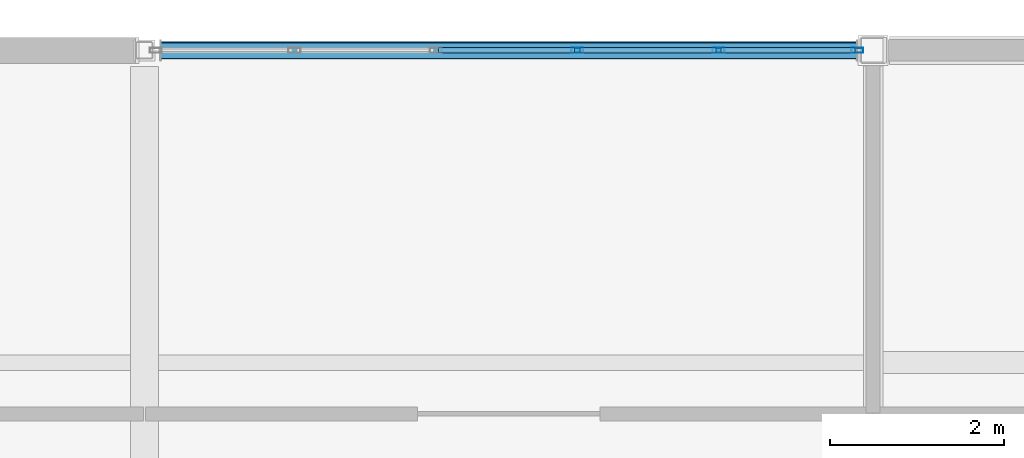
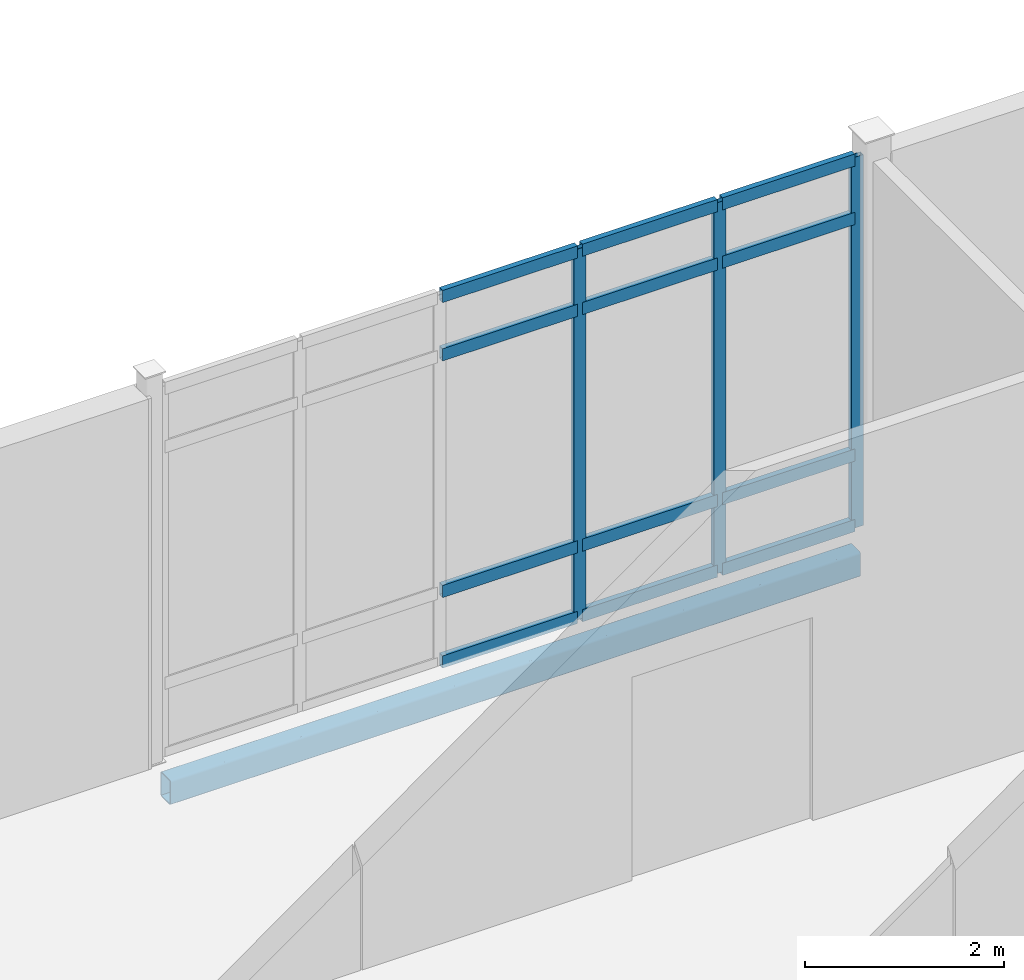
# One storey, part 62 of 153: 15 members, 1 beam, 1 element without a shape of its own.
"""IFC4 building model written with IfcOpenShell, lengths in metres."""

from ifc_helpers import new_model, si_unit, direction, frame, origin, origin_2d, place, context, subcontext, project, spatial, hollow_rectangle, extrude, material, layer, layer_set, material_profile, profile_set, type_object, element, aggregate, save


model = new_model("IFC4")

# Units and contexts
model_context = context("Model", 3, precision=1e-05, world=origin(), true_north=direction((0.0, 1.0)))
body_context = subcontext(model_context, "Body", "Model", "MODEL_VIEW")
ifc_project = project(units=[si_unit("LENGTHUNIT", "METRE"), si_unit("AREAUNIT", "SQUARE_METRE"), si_unit("VOLUMEUNIT", "CUBIC_METRE"), si_unit("PLANEANGLEUNIT", "RADIAN"), si_unit("MASSUNIT", "GRAM", prefix="KILO")], contexts=[model_context])

# Site, building, storey
site_placement = place(None, origin())
site = spatial("IfcSite", under=ifc_project, at=site_placement, CompositionType="ELEMENT")
building_placement = place(site_placement, origin())
building = spatial("IfcBuilding", under=site, at=building_placement, Name="Calvrana Isthmian Art Gallery", CompositionType="ELEMENT")
storey_placement = place(building_placement, frame((0.0, 0.0, 10.199951171875)))
storey = spatial("IfcBuildingStorey", under=building, at=storey_placement, Name="L02", CompositionType="ELEMENT", Elevation=10.199951171875)

# Beam
ifc_material_1 = material(Name="Steel ASTM A500 Gr C", Category="steel")
ifc_material_profile_1 = material_profile(ifc_material_1, hollow_rectangle(XDim=0.203125, YDim=0.3046875, WallThickness=0.0126953125, OuterFilletRadius=0.02490234375, at=origin_2d()), Name="HSS305X203X12.7")
ifc_profile_set_1 = profile_set([ifc_material_profile_1], Name="Steel ASTM A500 Gr C")
beam_type = type_object("IfcBeamType", Name="BM-SP-HSS305", PredefinedType="SPANDREL", material=ifc_profile_set_1)
beam_placement = place(storey_placement, frame((21.78662109375, 112.800048828125, -0.417236328125), z_axis=(1.0, 0.0, 0.0), x_axis=(0.0, 1.0, 0.0)))
element("IfcBeam", 1, at=beam_placement, inside=storey, type_object=beam_type, Name="Girder X L02 04-05/P", PredefinedType="SPANDREL", context=body_context, shape_type="SweptSolid", body=[
    extrude(hollow_rectangle(XDim=0.203125, YDim=0.3046875, WallThickness=0.0126953125, OuterFilletRadius=0.02490234375, at=origin_2d()), origin(), (0.0, 0.0, 1.0), 8.02783203125),
])

# Curtain wall, members
ifc_material_2 = material(Name="Anodized bronze aluminium 6063-T6", Category="aluminium")
ifc_layer = layer(ifc_material_2, 0.179931640625, Name="Anodized bronze aluminium 6063-T6")
ifc_layer_set = layer_set([ifc_layer], Name="Anodized bronze aluminium 6063-T6")
curtain_wall_type = type_object("IfcCurtainWallType", Name="CW-STICK-081X46", PredefinedType="NOTDEFINED", material=ifc_layer_set)
curtain_wall_placement = place(storey_placement, origin())
curtain_wall = element("IfcCurtainWall", 2, at=curtain_wall_placement, inside=storey, type_object=curtain_wall_type, Name="Curtain wall CW-162", PredefinedType="NOTDEFINED")
ifc_material_profile_2 = material_profile(ifc_material_2, hollow_rectangle(XDim=0.06005859375, YDim=0.139892578125, WallThickness=0.00390625, at=origin_2d()), Name="CWM60X140")
ifc_profile_set_2 = profile_set([ifc_material_profile_2], Name="Anodized bronze aluminium 6063-T6")
member_type_1 = type_object("IfcMemberType", Name="CWM-CWM60X140", PredefinedType="MULLION", material=ifc_profile_set_2)
member_1_placement = place(storey_placement, frame((26.589111328125, 112.800048828125, 0.0), z_axis=(0.0, 0.0, 1.0), x_axis=(0.0, 1.0, 0.0)))
member_1 = element("IfcMember", 3, at=member_1_placement, type_object=member_type_1, Name="CW-162 mullion 4", PredefinedType="MULLION", context=body_context, shape_type="SweptSolid", body=[
    extrude(hollow_rectangle(XDim=0.06005859375, YDim=0.139892578125, WallThickness=0.00390625, at=origin_2d()), origin(), (0.0, 0.0, 1.0), 4.56005859375),
])
member_2_placement = place(storey_placement, frame((28.218505859375, 112.800048828125, 0.0), z_axis=(0.0, 0.0, 1.0), x_axis=(0.0, 1.0, 0.0)))
member_2 = element("IfcMember", 4, at=member_2_placement, type_object=member_type_1, Name="CW-162 mullion 5", PredefinedType="MULLION", context=body_context, shape_type="SweptSolid", body=[
    extrude(hollow_rectangle(XDim=0.06005859375, YDim=0.139892578125, WallThickness=0.00390625, at=origin_2d()), origin(), (0.0, 0.0, 1.0), 4.56005859375),
])
member_3_placement = place(storey_placement, frame((29.817626953125, 112.800048828125, 0.0), z_axis=(0.0, 0.0, 1.0), x_axis=(0.0, 1.0, 0.0)))
member_3 = element("IfcMember", 5, at=member_3_placement, type_object=member_type_1, Name="CW-162 mullion 6", PredefinedType="MULLION", context=body_context, shape_type="SweptSolid", body=[
    extrude(hollow_rectangle(XDim=0.06005859375, YDim=0.139892578125, WallThickness=0.00390625, at=origin_2d()), origin(), (0.0, 0.0, 1.0), 4.56005859375),
])
ifc_material_profile_3 = material_profile(ifc_material_2, hollow_rectangle(XDim=0.06494140625, YDim=0.14990234375, WallThickness=0.00390625, at=origin_2d()), Name="CWT65X150")
ifc_profile_set_3 = profile_set([ifc_material_profile_3], Name="Anodized bronze aluminium 6063-T6")
member_type_2 = type_object("IfcMemberType", Name="CWT-CWT65X150", PredefinedType="USERDEFINED", material=ifc_profile_set_3)
member_4_placement = place(storey_placement, frame((24.989990234375, 112.800048828125, 0.032470703125), z_axis=(1.0, 0.0, 0.0), x_axis=(0.0, 1.0, 0.0)))
member_4 = element("IfcMember", 6, at=member_4_placement, type_object=member_type_2, Name="CW-162 transom 3.1", ObjectType="TRANSOM", PredefinedType="USERDEFINED", context=body_context, shape_type="SweptSolid", body=[
    extrude(hollow_rectangle(XDim=0.06494140625, YDim=0.14990234375, WallThickness=0.00390625, at=origin_2d()), origin(), (0.0, 0.0, 1.0), 1.569091796875),
])
member_5_placement = place(storey_placement, frame((24.989990234375, 112.800048828125, 0.900146484375), z_axis=(1.0, 0.0, 0.0), x_axis=(0.0, 1.0, 0.0)))
member_5 = element("IfcMember", 7, at=member_5_placement, type_object=member_type_2, Name="CW-162 transom 3.2", ObjectType="TRANSOM", PredefinedType="USERDEFINED", context=body_context, shape_type="SweptSolid", body=[
    extrude(hollow_rectangle(XDim=0.06494140625, YDim=0.14990234375, WallThickness=0.00390625, at=origin_2d()), origin(), (0.0, 0.0, 1.0), 1.569091796875),
])
member_6_placement = place(storey_placement, frame((24.989990234375, 112.800048828125, 3.81005859375), z_axis=(1.0, 0.0, 0.0), x_axis=(0.0, 1.0, 0.0)))
member_6 = element("IfcMember", 8, at=member_6_placement, type_object=member_type_2, Name="CW-162 transom 3.3", ObjectType="TRANSOM", PredefinedType="USERDEFINED", context=body_context, shape_type="SweptSolid", body=[
    extrude(hollow_rectangle(XDim=0.06494140625, YDim=0.14990234375, WallThickness=0.00390625, at=origin_2d()), origin(), (0.0, 0.0, 1.0), 1.569091796875),
])
member_7_placement = place(storey_placement, frame((24.989990234375, 112.800048828125, 4.527587890625), z_axis=(1.0, 0.0, 0.0), x_axis=(0.0, 1.0, 0.0)))
member_7 = element("IfcMember", 9, at=member_7_placement, type_object=member_type_2, Name="CW-162 transom 3.4", ObjectType="TRANSOM", PredefinedType="USERDEFINED", context=body_context, shape_type="SweptSolid", body=[
    extrude(hollow_rectangle(XDim=0.06494140625, YDim=0.14990234375, WallThickness=0.00390625, at=origin_2d()), origin(), (0.0, 0.0, 1.0), 1.569091796875),
])
member_8_placement = place(storey_placement, frame((26.619140625, 112.800048828125, 0.032470703125), z_axis=(1.0, 0.0, 0.0), x_axis=(0.0, 1.0, 0.0)))
member_8 = element("IfcMember", 10, at=member_8_placement, type_object=member_type_2, Name="CW-162 transom 4.1", ObjectType="TRANSOM", PredefinedType="USERDEFINED", context=body_context, shape_type="SweptSolid", body=[
    extrude(hollow_rectangle(XDim=0.06494140625, YDim=0.14990234375, WallThickness=0.00390625, at=origin_2d()), origin(), (0.0, 0.0, 1.0), 1.5693359375),
])
member_9_placement = place(storey_placement, frame((26.619140625, 112.800048828125, 0.900146484375), z_axis=(1.0, 0.0, 0.0), x_axis=(0.0, 1.0, 0.0)))
member_9 = element("IfcMember", 11, at=member_9_placement, type_object=member_type_2, Name="CW-162 transom 4.2", ObjectType="TRANSOM", PredefinedType="USERDEFINED", context=body_context, shape_type="SweptSolid", body=[
    extrude(hollow_rectangle(XDim=0.06494140625, YDim=0.14990234375, WallThickness=0.00390625, at=origin_2d()), origin(), (0.0, 0.0, 1.0), 1.5693359375),
])
member_10_placement = place(storey_placement, frame((26.619140625, 112.800048828125, 3.81005859375), z_axis=(1.0, 0.0, 0.0), x_axis=(0.0, 1.0, 0.0)))
member_10 = element("IfcMember", 12, at=member_10_placement, type_object=member_type_2, Name="CW-162 transom 4.3", ObjectType="TRANSOM", PredefinedType="USERDEFINED", context=body_context, shape_type="SweptSolid", body=[
    extrude(hollow_rectangle(XDim=0.06494140625, YDim=0.14990234375, WallThickness=0.00390625, at=origin_2d()), origin(), (0.0, 0.0, 1.0), 1.5693359375),
])
member_11_placement = place(storey_placement, frame((26.619140625, 112.800048828125, 4.527587890625), z_axis=(1.0, 0.0, 0.0), x_axis=(0.0, 1.0, 0.0)))
member_11 = element("IfcMember", 13, at=member_11_placement, type_object=member_type_2, Name="CW-162 transom 4.4", ObjectType="TRANSOM", PredefinedType="USERDEFINED", context=body_context, shape_type="SweptSolid", body=[
    extrude(hollow_rectangle(XDim=0.06494140625, YDim=0.14990234375, WallThickness=0.00390625, at=origin_2d()), origin(), (0.0, 0.0, 1.0), 1.5693359375),
])
member_12_placement = place(storey_placement, frame((28.248291015625, 112.800048828125, 0.032470703125), z_axis=(1.0, 0.0, 0.0), x_axis=(0.0, 1.0, 0.0)))
member_12 = element("IfcMember", 14, at=member_12_placement, type_object=member_type_2, Name="CW-162 transom 5.1", ObjectType="TRANSOM", PredefinedType="USERDEFINED", context=body_context, shape_type="SweptSolid", body=[
    extrude(hollow_rectangle(XDim=0.06494140625, YDim=0.14990234375, WallThickness=0.00390625, at=origin_2d()), origin(), (0.0, 0.0, 1.0), 1.539306640625),
])
member_13_placement = place(storey_placement, frame((28.248291015625, 112.800048828125, 0.900146484375), z_axis=(1.0, 0.0, 0.0), x_axis=(0.0, 1.0, 0.0)))
member_13 = element("IfcMember", 15, at=member_13_placement, type_object=member_type_2, Name="CW-162 transom 5.2", ObjectType="TRANSOM", PredefinedType="USERDEFINED", context=body_context, shape_type="SweptSolid", body=[
    extrude(hollow_rectangle(XDim=0.06494140625, YDim=0.14990234375, WallThickness=0.00390625, at=origin_2d()), origin(), (0.0, 0.0, 1.0), 1.539306640625),
])
member_14_placement = place(storey_placement, frame((28.248291015625, 112.800048828125, 3.81005859375), z_axis=(1.0, 0.0, 0.0), x_axis=(0.0, 1.0, 0.0)))
member_14 = element("IfcMember", 16, at=member_14_placement, type_object=member_type_2, Name="CW-162 transom 5.3", ObjectType="TRANSOM", PredefinedType="USERDEFINED", context=body_context, shape_type="SweptSolid", body=[
    extrude(hollow_rectangle(XDim=0.06494140625, YDim=0.14990234375, WallThickness=0.00390625, at=origin_2d()), origin(), (0.0, 0.0, 1.0), 1.539306640625),
])
member_15_placement = place(storey_placement, frame((28.248291015625, 112.800048828125, 4.527587890625), z_axis=(1.0, 0.0, 0.0), x_axis=(0.0, 1.0, 0.0)))
member_15 = element("IfcMember", 17, at=member_15_placement, type_object=member_type_2, Name="CW-162 transom 5.4", ObjectType="TRANSOM", PredefinedType="USERDEFINED", context=body_context, shape_type="SweptSolid", body=[
    extrude(hollow_rectangle(XDim=0.06494140625, YDim=0.14990234375, WallThickness=0.00390625, at=origin_2d()), origin(), (0.0, 0.0, 1.0), 1.539306640625),
])
aggregate(curtain_wall, [member_1, member_2, member_3, member_4, member_5, member_6, member_7, member_8, member_9, member_10, member_11, member_12, member_13, member_14, member_15])

save(model, "model.ifc")
